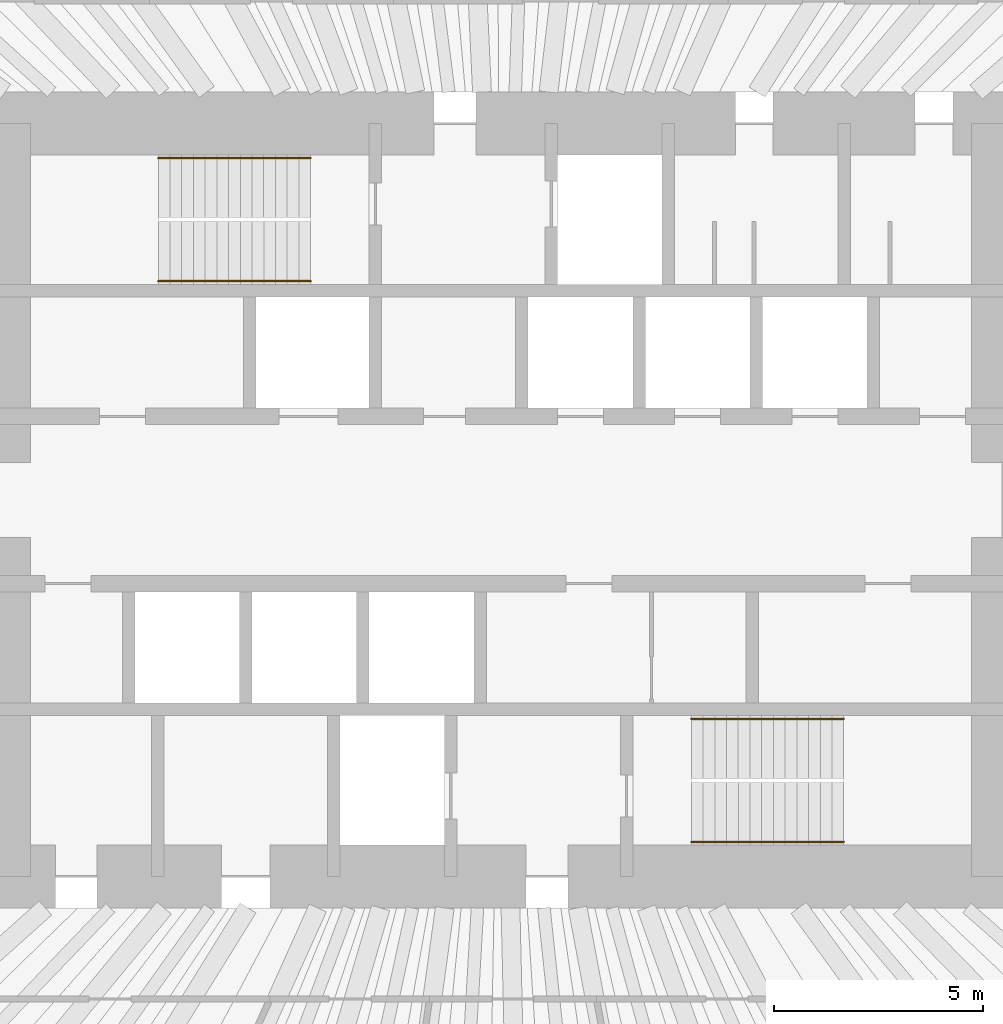
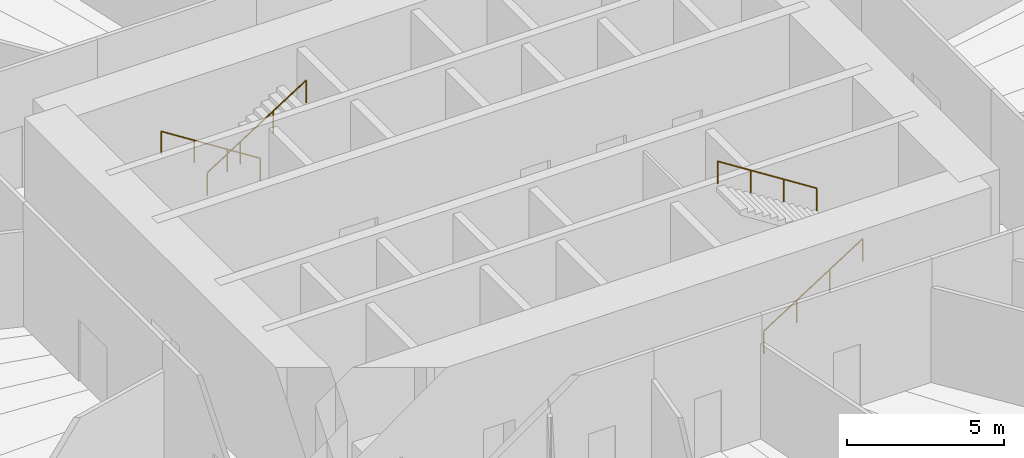
# One storey, part 14 of 14: 4 railings.
"""IFC4 building model written with IfcOpenShell, lengths in metres."""

from ifc_helpers import new_model, si_unit, direction, frame, origin, origin_2d, place, context, subcontext, project, spatial, circle, extrude, material, type_object, element, save


model = new_model("IFC4")

# Units and contexts
model_context = context("Model", 3, precision=1e-05, world=origin(), true_north=direction((0.0, 1.0)))
body_context = subcontext(model_context, "Body", "Model", "MODEL_VIEW")
ifc_project = project(units=[si_unit("LENGTHUNIT", "METRE"), si_unit("AREAUNIT", "SQUARE_METRE"), si_unit("VOLUMEUNIT", "CUBIC_METRE"), si_unit("PLANEANGLEUNIT", "RADIAN"), si_unit("MASSUNIT", "GRAM", prefix="KILO")], contexts=[model_context])

# Site, building, storey
site_placement = place(None, origin())
site = spatial("IfcSite", under=ifc_project, at=site_placement, CompositionType="ELEMENT")
building_placement = place(site_placement, origin())
building = spatial("IfcBuilding", under=site, at=building_placement, Name="Qingtian Harvest Tower", CompositionType="ELEMENT")
storey_placement = place(building_placement, frame((0.0, 0.0, 82.0)))
storey = spatial("IfcBuildingStorey", under=building, at=storey_placement, Name="L16", CompositionType="ELEMENT", Elevation=82.0)

# Railings
ifc_material = material(Name="Stainless steel handrail", Category="steel")
railing_type = type_object("IfcRailingType", Name="Handrail HR1", PredefinedType="HANDRAIL", material=ifc_material)
railing_1_placement = place(storey_placement, frame((-4.550048828125, 8.169921875, 0.178466796875)))
element("IfcRailing", 1, at=railing_1_placement, inside=storey, type_object=railing_type, Name="Handrail HR1 S1 flight 1", PredefinedType="HANDRAIL", context=body_context, shape_type="SweptSolid", body=[
    extrude(circle(Radius=0.02392578125, at=origin_2d()), frame((0.0, 0.0, 0.8759765625), z_axis=(-0.843111507901, 0.0, 0.53773877045), x_axis=(0.0, -1.0, 0.0)), (0.0, 0.0, 1.0), 4.317138671875),
    extrude(circle(Radius=0.02099609375, at=origin_2d()), origin(), (0.0, 0.0, 1.0), 0.851806640625),
    extrude(circle(Radius=0.02099609375, at=origin_2d()), frame((-1.21337890625, 0.0, 0.77392578125)), (0.0, 0.0, 1.0), 0.851806640625),
    extrude(circle(Radius=0.02099609375, at=origin_2d()), frame((-2.426513671875, 0.0, 1.547607421875)), (0.0, 0.0, 1.0), 0.851806640625),
    extrude(circle(Radius=0.02099609375, at=origin_2d()), frame((-3.639892578125, 0.0, 2.321533203125)), (0.0, 0.0, 1.0), 0.851806640625),
])
for number, where, name in (
    (2, (-8.18994140625, 5.22998046875, 2.678466796875), "Handrail HR1 S1 flight 2"),
    (3, (4.550048828125, -8.169921875, 0.178466796875), "Handrail HR1 S2 flight 1"),
):
    element("IfcRailing", number, at=place(storey_placement, frame(where)), inside=storey, type_object=railing_type, Name=name, PredefinedType="HANDRAIL", context=body_context, shape_type="SweptSolid", body=[
        extrude(circle(Radius=0.02392578125, at=origin_2d()), frame((0.0, 0.0, 0.8759765625), z_axis=(0.843111507901, 0.0, 0.53773877045), x_axis=(0.0, 1.0, 0.0)), (0.0, 0.0, 1.0), 4.317138671875),
        extrude(circle(Radius=0.02099609375, at=origin_2d()), origin(), (0.0, 0.0, 1.0), 0.851806640625),
        extrude(circle(Radius=0.02099609375, at=origin_2d()), frame((1.21337890625, 0.0, 0.77392578125)), (0.0, 0.0, 1.0), 0.851806640625),
        extrude(circle(Radius=0.02099609375, at=origin_2d()), frame((2.426513671875, 0.0, 1.547607421875)), (0.0, 0.0, 1.0), 0.851806640625),
        extrude(circle(Radius=0.02099609375, at=origin_2d()), frame((3.639892578125, 0.0, 2.321533203125)), (0.0, 0.0, 1.0), 0.851806640625),
    ])
railing_2_placement = place(storey_placement, frame((8.18994140625, -5.22998046875, 2.678466796875)))
element("IfcRailing", 4, at=railing_2_placement, inside=storey, type_object=railing_type, Name="Handrail HR1 S2 flight 2", PredefinedType="HANDRAIL", context=body_context, shape_type="SweptSolid", body=[
    extrude(circle(Radius=0.02392578125, at=origin_2d()), frame((0.0, 0.0, 0.8759765625), z_axis=(-0.843111507901, 0.0, 0.53773877045), x_axis=(0.0, -1.0, 0.0)), (0.0, 0.0, 1.0), 4.317138671875),
    extrude(circle(Radius=0.02099609375, at=origin_2d()), origin(), (0.0, 0.0, 1.0), 0.851806640625),
    extrude(circle(Radius=0.02099609375, at=origin_2d()), frame((-1.21337890625, 0.0, 0.77392578125)), (0.0, 0.0, 1.0), 0.851806640625),
    extrude(circle(Radius=0.02099609375, at=origin_2d()), frame((-2.426513671875, 0.0, 1.547607421875)), (0.0, 0.0, 1.0), 0.851806640625),
    extrude(circle(Radius=0.02099609375, at=origin_2d()), frame((-3.639892578125, 0.0, 2.321533203125)), (0.0, 0.0, 1.0), 0.851806640625),
])

save(model, "model.ifc")
